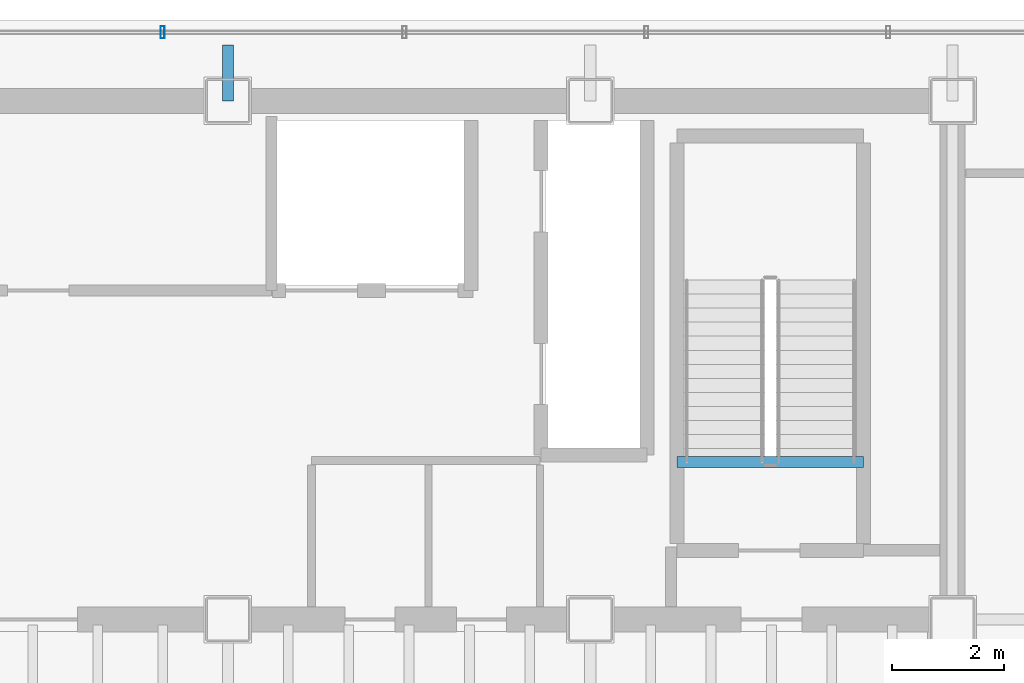
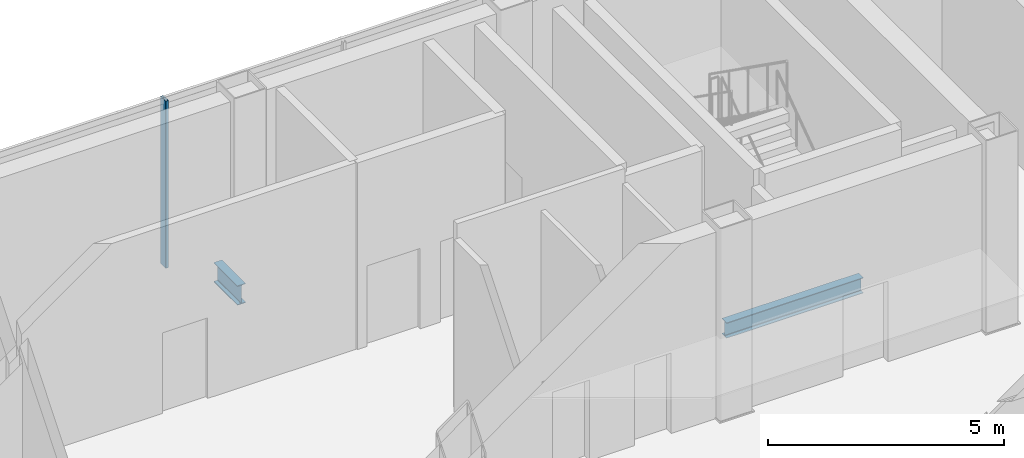
# One storey, part 7 of 15: 2 beams, 1 member, 1 element without a shape of its own.
"""IFC4 building model written with IfcOpenShell, lengths in metres."""

from ifc_helpers import new_model, si_unit, direction, frame, origin, origin_2d, place, context, subcontext, project, spatial, hollow_rectangle, i_section, extrude, material, material_profile, profile_set, type_object, element, aggregate, save


model = new_model("IFC4")

# Units and contexts
model_context = context("Model", 3, precision=1e-05, world=origin(), true_north=direction((0.0, 1.0)))
body_context = subcontext(model_context, "Body", "Model", "MODEL_VIEW")
ifc_project = project(units=[si_unit("LENGTHUNIT", "METRE"), si_unit("AREAUNIT", "SQUARE_METRE"), si_unit("VOLUMEUNIT", "CUBIC_METRE"), si_unit("PLANEANGLEUNIT", "RADIAN"), si_unit("MASSUNIT", "GRAM", prefix="KILO")], contexts=[model_context])

# Site, building, storey
site_placement = place(None, origin())
site = spatial("IfcSite", under=ifc_project, at=site_placement, CompositionType="ELEMENT")
building_placement = place(site_placement, origin())
building = spatial("IfcBuilding", under=site, at=building_placement, Name="Noeulbin Bourse Tower", CompositionType="ELEMENT")
storey_placement = place(building_placement, frame((0.0, 0.0, 206.10009765625)))
storey = spatial("IfcBuildingStorey", under=building, at=storey_placement, Name="L51", CompositionType="ELEMENT", Elevation=206.10009765625)

# Beams
ifc_material_1 = material(Name="Steel S355", Category="steel")
ifc_material_profile_1 = material_profile(ifc_material_1, i_section(OverallWidth=0.199951171875, OverallDepth=0.5, WebThickness=0.010009765625, FlangeThickness=0.01611328125, FilletRadius=0.02001953125, at=origin_2d()), Name="H-500x200x10x16", Category="LoadBearing")
ifc_profile_set_1 = profile_set([ifc_material_profile_1], Name="Steel S355")
beam_type_1 = type_object("IfcBeamType", Name="BM-GRD-500", PredefinedType="USERDEFINED", material=ifc_profile_set_1)
beam_1_placement = place(storey_placement, frame((31.0, 38.300048828125, -0.43017578125), z_axis=(0.0, 1.0, 0.0), x_axis=(-1.0, 0.0, 0.0)))
element("IfcBeam", 1, at=beam_1_placement, inside=storey, type_object=beam_type_1, Name="Tower Primary Girder NS L51-3.4", ObjectType="GIRDER", PredefinedType="USERDEFINED", context=body_context, shape_type="SweptSolid", body=[
    extrude(i_section(OverallWidth=0.199951171875, OverallDepth=0.5, WebThickness=0.010009765625, FlangeThickness=0.01611328125, FilletRadius=0.02001953125, at=origin_2d()), origin(), (0.0, 0.0, 1.0), 1.0),
])
ifc_material_profile_2 = material_profile(ifc_material_1, i_section(OverallWidth=0.199951171875, OverallDepth=0.39990234375, WebThickness=0.008056640625, FlangeThickness=0.012939453125, FilletRadius=0.01611328125, at=origin_2d()), Name="H-400x200x8x13", Category="LoadBearing")
ifc_profile_set_2 = profile_set([ifc_material_profile_2], Name="Steel S355")
beam_type_2 = type_object("IfcBeamType", Name="BM-SEC-400", PredefinedType="BEAM", material=ifc_profile_set_2)
beam_2_placement = place(storey_placement, frame((39.06005859375, 31.820068359375, -0.2001953125), z_axis=(1.0, 0.0, 0.0), x_axis=(0.0, 1.0, 0.0)))
element("IfcBeam", 2, at=beam_2_placement, inside=storey, type_object=beam_type_2, Name="Stair Threshold Trimmer Beam ST2-L51", PredefinedType="BEAM", context=body_context, shape_type="SweptSolid", body=[
    extrude(i_section(OverallWidth=0.199951171875, OverallDepth=0.39990234375, WebThickness=0.008056640625, FlangeThickness=0.012939453125, FilletRadius=0.01611328125, at=origin_2d()), origin(), (0.0, 0.0, 1.0), 3.33984375),
])

# Curtain wall, member
ifc_material_2 = material(Name="High-Selectivity Low-Iron Glazing", Category="glass")
curtain_wall_type = type_object("IfcCurtainWallType", Name="CW-SYS-4", PredefinedType="NOTDEFINED", material=ifc_material_2)
curtain_wall_placement = place(storey_placement, origin())
curtain_wall = element("IfcCurtainWall", 3, at=curtain_wall_placement, inside=storey, type_object=curtain_wall_type, Name="Unitised Curtain Wall CW-L51-N", PredefinedType="NOTDEFINED")
ifc_material_3 = material(Name="Anodised Aluminium 6063-T6", Category="aluminium")
ifc_material_profile_3 = material_profile(ifc_material_3, hollow_rectangle(XDim=0.074951171875, YDim=0.219970703125, WallThickness=0.0048828125, InnerFilletRadius=0.00244140625, OuterFilletRadius=0.0048828125, at=origin_2d()), Name="ALU-MULL-75x220x5", Category="LoadBearing")
ifc_profile_set_3 = profile_set([ifc_material_profile_3], Name="Anodised Aluminium 6063-T6")
member_type = type_object("IfcMemberType", Name="CW-SYS-4-MUL", PredefinedType="MULLION", material=ifc_profile_set_3)
member_placement = place(storey_placement, frame((29.8310546875, 39.530029296875, -0.02001953125), z_axis=(0.0, 0.0, 1.0), x_axis=(1.0, 0.0, 0.0)))
member = element("IfcMember", 4, at=member_placement, type_object=member_type, Name="Curtain Wall Mullion CW-L51-N-M04", PredefinedType="MULLION", context=body_context, shape_type="SweptSolid", body=[
    extrude(hollow_rectangle(XDim=0.074951171875, YDim=0.219970703125, WallThickness=0.0048828125, InnerFilletRadius=0.00244140625, OuterFilletRadius=0.0048828125, at=origin_2d()), origin(), (0.0, 0.0, 1.0), 4.31982421875),
])
aggregate(curtain_wall, [member])

save(model, "model.ifc")
